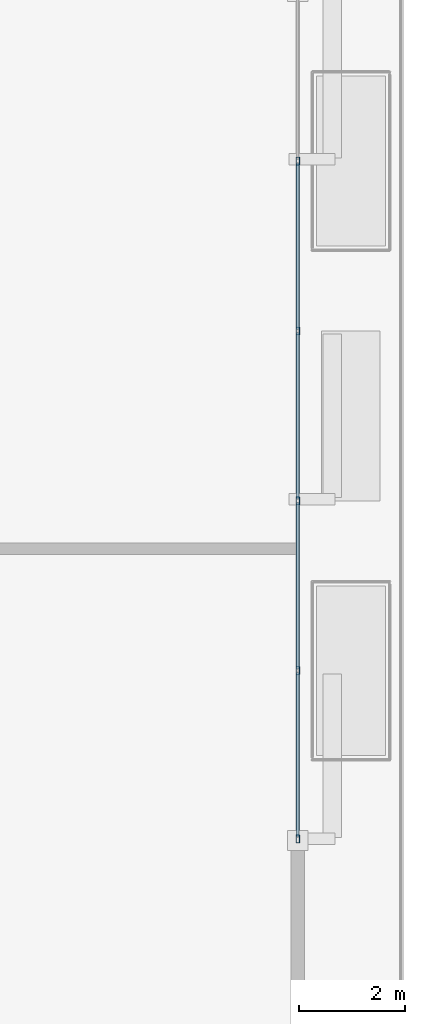
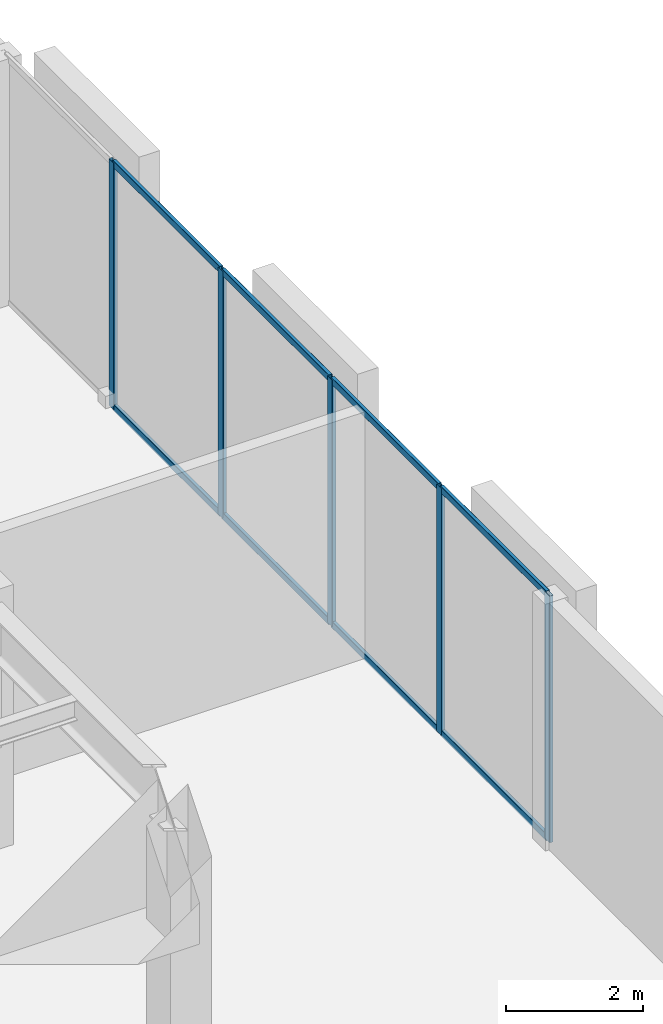
# One storey, part 2 of 11: 13 members, 1 element without a shape of its own.
"""IFC4 building model written with IfcOpenShell, lengths in metres."""

from ifc_helpers import new_model, si_unit, direction, frame, origin, origin_2d, place, context, subcontext, project, spatial, hollow_rectangle, extrude, material, layer, layer_set, material_profile, profile_set, type_object, element, aggregate, save


model = new_model("IFC4")

# Units and contexts
model_context = context("Model", 3, precision=1e-05, world=origin(), true_north=direction((0.0, 1.0)))
body_context = subcontext(model_context, "Body", "Model", "MODEL_VIEW")
ifc_project = project(units=[si_unit("LENGTHUNIT", "METRE"), si_unit("AREAUNIT", "SQUARE_METRE"), si_unit("VOLUMEUNIT", "CUBIC_METRE"), si_unit("PLANEANGLEUNIT", "RADIAN"), si_unit("MASSUNIT", "GRAM", prefix="KILO")], contexts=[model_context])

# Site, building, storey
site_placement = place(None, origin())
site = spatial("IfcSite", under=ifc_project, at=site_placement, CompositionType="ELEMENT")
building_placement = place(site_placement, origin())
building = spatial("IfcBuilding", under=site, at=building_placement, Name="An Khanh Terracotta Commons", CompositionType="ELEMENT")
storey_placement = place(building_placement, frame((0.0, 0.0, 19.35009765625)))
storey = spatial("IfcBuildingStorey", under=building, at=storey_placement, Name="L05", CompositionType="ELEMENT", Elevation=19.35009765625)

# Curtain wall, members
ifc_material = material(Name="Anodised Aluminium 6063-T6", Category="aluminium")
ifc_layer = layer(ifc_material, 0.179931640625, Name="Anodised Aluminium 6063-T6")
ifc_layer_set = layer_set([ifc_layer], Name="Anodised Aluminium 6063-T6")
curtain_wall_type = type_object("IfcCurtainWallType", Name="CW-SYS-01", PredefinedType="USERDEFINED", material=ifc_layer_set)
curtain_wall_placement = place(storey_placement, origin())
curtain_wall = element("IfcCurtainWall", 1, at=curtain_wall_placement, inside=storey, type_object=curtain_wall_type, Name="L05 CW-01 Unitised Curtain Wall CW-L05-EAST", ObjectType="UNITISED CURTAIN WALL", PredefinedType="USERDEFINED")
ifc_material_profile_1 = material_profile(ifc_material, hollow_rectangle(XDim=0.06494140625, YDim=0.14990234375, WallThickness=0.00390625, InnerFilletRadius=0.00390625, OuterFilletRadius=0.008056640625, at=origin_2d()), Name="RHS150x65x4")
ifc_profile_set_1 = profile_set([ifc_material_profile_1], Name="Anodised Aluminium 6063-T6")
member_type_1 = type_object("IfcMemberType", Name="CWM-RHS150x65x4", PredefinedType="MULLION", material=ifc_profile_set_1)
member_1_placement = place(storey_placement, frame((65.800048828125, 16.032470703125, 0.0), z_axis=(0.0, 0.0, 1.0), x_axis=(-1.0, 0.0, 0.0)))
member_1 = element("IfcMember", 2, at=member_1_placement, type_object=member_type_1, Name="CW-01 mullion 1", PredefinedType="MULLION", context=body_context, shape_type="SweptSolid", body=[
    extrude(hollow_rectangle(XDim=0.06494140625, YDim=0.14990234375, WallThickness=0.00390625, InnerFilletRadius=0.00390625, OuterFilletRadius=0.008056640625, at=origin_2d()), origin(), (0.0, 0.0, 1.0), 4.409912109375),
])
member_2_placement = place(storey_placement, frame((65.800048828125, 19.199951171875, 0.0), z_axis=(0.0, 0.0, 1.0), x_axis=(-1.0, 0.0, 0.0)))
member_2 = element("IfcMember", 3, at=member_2_placement, type_object=member_type_1, Name="CW-01 mullion 2", PredefinedType="MULLION", context=body_context, shape_type="SweptSolid", body=[
    extrude(hollow_rectangle(XDim=0.06494140625, YDim=0.14990234375, WallThickness=0.00390625, InnerFilletRadius=0.00390625, OuterFilletRadius=0.008056640625, at=origin_2d()), origin(), (0.0, 0.0, 1.0), 4.409912109375),
])
member_3_placement = place(storey_placement, frame((65.800048828125, 22.39990234375, 0.0), z_axis=(0.0, 0.0, 1.0), x_axis=(-1.0, 0.0, 0.0)))
member_3 = element("IfcMember", 4, at=member_3_placement, type_object=member_type_1, Name="CW-01 mullion 3", PredefinedType="MULLION", context=body_context, shape_type="SweptSolid", body=[
    extrude(hollow_rectangle(XDim=0.06494140625, YDim=0.14990234375, WallThickness=0.00390625, InnerFilletRadius=0.00390625, OuterFilletRadius=0.008056640625, at=origin_2d()), origin(), (0.0, 0.0, 1.0), 4.409912109375),
])
member_4_placement = place(storey_placement, frame((65.800048828125, 25.60009765625, 0.0), z_axis=(0.0, 0.0, 1.0), x_axis=(-1.0, 0.0, 0.0)))
member_4 = element("IfcMember", 5, at=member_4_placement, type_object=member_type_1, Name="CW-01 mullion 4", PredefinedType="MULLION", context=body_context, shape_type="SweptSolid", body=[
    extrude(hollow_rectangle(XDim=0.06494140625, YDim=0.14990234375, WallThickness=0.00390625, InnerFilletRadius=0.00390625, OuterFilletRadius=0.008056640625, at=origin_2d()), origin(), (0.0, 0.0, 1.0), 4.409912109375),
])
member_5_placement = place(storey_placement, frame((65.800048828125, 28.800048828125, 0.0), z_axis=(0.0, 0.0, 1.0), x_axis=(-1.0, 0.0, 0.0)))
member_5 = element("IfcMember", 6, at=member_5_placement, type_object=member_type_1, Name="CW-01 mullion 5", PredefinedType="MULLION", context=body_context, shape_type="SweptSolid", body=[
    extrude(hollow_rectangle(XDim=0.06494140625, YDim=0.14990234375, WallThickness=0.00390625, InnerFilletRadius=0.00390625, OuterFilletRadius=0.008056640625, at=origin_2d()), origin(), (0.0, 0.0, 1.0), 4.409912109375),
])
ifc_material_profile_2 = material_profile(ifc_material, hollow_rectangle(XDim=0.06005859375, YDim=0.1201171875, WallThickness=0.003662109375, InnerFilletRadius=0.003662109375, OuterFilletRadius=0.007080078125, at=origin_2d()), Name="RHS120x60x3.6")
ifc_profile_set_2 = profile_set([ifc_material_profile_2], Name="Anodised Aluminium 6063-T6")
member_type_2 = type_object("IfcMemberType", Name="CWT-RHS120x60x3.6", PredefinedType="USERDEFINED", material=ifc_profile_set_2)
member_6_placement = place(storey_placement, frame((65.800048828125, 16.06494140625, 0.02978515625), z_axis=(0.0, 1.0, 0.0), x_axis=(-1.0, 0.0, 0.0)))
member_6 = element("IfcMember", 7, at=member_6_placement, type_object=member_type_2, Name="CW-01 transom 1.1", ObjectType="TRANSOM", PredefinedType="USERDEFINED", context=body_context, shape_type="SweptSolid", body=[
    extrude(hollow_rectangle(XDim=0.06005859375, YDim=0.1201171875, WallThickness=0.003662109375, InnerFilletRadius=0.003662109375, OuterFilletRadius=0.007080078125, at=origin_2d()), origin(), (0.0, 0.0, 1.0), 3.1025390625),
])
member_7_placement = place(storey_placement, frame((65.800048828125, 16.06494140625, 4.3798828125), z_axis=(0.0, 1.0, 0.0), x_axis=(-1.0, 0.0, 0.0)))
member_7 = element("IfcMember", 8, at=member_7_placement, type_object=member_type_2, Name="CW-01 transom 1.2", ObjectType="TRANSOM", PredefinedType="USERDEFINED", context=body_context, shape_type="SweptSolid", body=[
    extrude(hollow_rectangle(XDim=0.06005859375, YDim=0.1201171875, WallThickness=0.003662109375, InnerFilletRadius=0.003662109375, OuterFilletRadius=0.007080078125, at=origin_2d()), origin(), (0.0, 0.0, 1.0), 3.1025390625),
])
member_8_placement = place(storey_placement, frame((65.800048828125, 19.232421875, 0.02978515625), z_axis=(0.0, 1.0, 0.0), x_axis=(-1.0, 0.0, 0.0)))
member_8 = element("IfcMember", 9, at=member_8_placement, type_object=member_type_2, Name="CW-01 transom 2.1", ObjectType="TRANSOM", PredefinedType="USERDEFINED", context=body_context, shape_type="SweptSolid", body=[
    extrude(hollow_rectangle(XDim=0.06005859375, YDim=0.1201171875, WallThickness=0.003662109375, InnerFilletRadius=0.003662109375, OuterFilletRadius=0.007080078125, at=origin_2d()), origin(), (0.0, 0.0, 1.0), 3.135009765625),
])
member_9_placement = place(storey_placement, frame((65.800048828125, 19.232421875, 4.3798828125), z_axis=(0.0, 1.0, 0.0), x_axis=(-1.0, 0.0, 0.0)))
member_9 = element("IfcMember", 10, at=member_9_placement, type_object=member_type_2, Name="CW-01 transom 2.2", ObjectType="TRANSOM", PredefinedType="USERDEFINED", context=body_context, shape_type="SweptSolid", body=[
    extrude(hollow_rectangle(XDim=0.06005859375, YDim=0.1201171875, WallThickness=0.003662109375, InnerFilletRadius=0.003662109375, OuterFilletRadius=0.007080078125, at=origin_2d()), origin(), (0.0, 0.0, 1.0), 3.135009765625),
])
member_10_placement = place(storey_placement, frame((65.800048828125, 22.4326171875, 0.02978515625), z_axis=(0.0, 1.0, 0.0), x_axis=(-1.0, 0.0, 0.0)))
member_10 = element("IfcMember", 11, at=member_10_placement, type_object=member_type_2, Name="CW-01 transom 3.1", ObjectType="TRANSOM", PredefinedType="USERDEFINED", context=body_context, shape_type="SweptSolid", body=[
    extrude(hollow_rectangle(XDim=0.06005859375, YDim=0.1201171875, WallThickness=0.003662109375, InnerFilletRadius=0.003662109375, OuterFilletRadius=0.007080078125, at=origin_2d()), origin(), (0.0, 0.0, 1.0), 3.134765625),
])
member_11_placement = place(storey_placement, frame((65.800048828125, 22.4326171875, 4.3798828125), z_axis=(0.0, 1.0, 0.0), x_axis=(-1.0, 0.0, 0.0)))
member_11 = element("IfcMember", 12, at=member_11_placement, type_object=member_type_2, Name="CW-01 transom 3.2", ObjectType="TRANSOM", PredefinedType="USERDEFINED", context=body_context, shape_type="SweptSolid", body=[
    extrude(hollow_rectangle(XDim=0.06005859375, YDim=0.1201171875, WallThickness=0.003662109375, InnerFilletRadius=0.003662109375, OuterFilletRadius=0.007080078125, at=origin_2d()), origin(), (0.0, 0.0, 1.0), 3.134765625),
])
member_12_placement = place(storey_placement, frame((65.800048828125, 25.632568359375, 0.02978515625), z_axis=(0.0, 1.0, 0.0), x_axis=(-1.0, 0.0, 0.0)))
member_12 = element("IfcMember", 13, at=member_12_placement, type_object=member_type_2, Name="CW-01 transom 4.1", ObjectType="TRANSOM", PredefinedType="USERDEFINED", context=body_context, shape_type="SweptSolid", body=[
    extrude(hollow_rectangle(XDim=0.06005859375, YDim=0.1201171875, WallThickness=0.003662109375, InnerFilletRadius=0.003662109375, OuterFilletRadius=0.007080078125, at=origin_2d()), origin(), (0.0, 0.0, 1.0), 3.135009765625),
])
member_13_placement = place(storey_placement, frame((65.800048828125, 25.632568359375, 4.3798828125), z_axis=(0.0, 1.0, 0.0), x_axis=(-1.0, 0.0, 0.0)))
member_13 = element("IfcMember", 14, at=member_13_placement, type_object=member_type_2, Name="CW-01 transom 4.2", ObjectType="TRANSOM", PredefinedType="USERDEFINED", context=body_context, shape_type="SweptSolid", body=[
    extrude(hollow_rectangle(XDim=0.06005859375, YDim=0.1201171875, WallThickness=0.003662109375, InnerFilletRadius=0.003662109375, OuterFilletRadius=0.007080078125, at=origin_2d()), origin(), (0.0, 0.0, 1.0), 3.135009765625),
])
aggregate(curtain_wall, [member_1, member_2, member_3, member_4, member_5, member_6, member_7, member_8, member_9, member_10, member_11, member_12, member_13])

save(model, "model.ifc")
